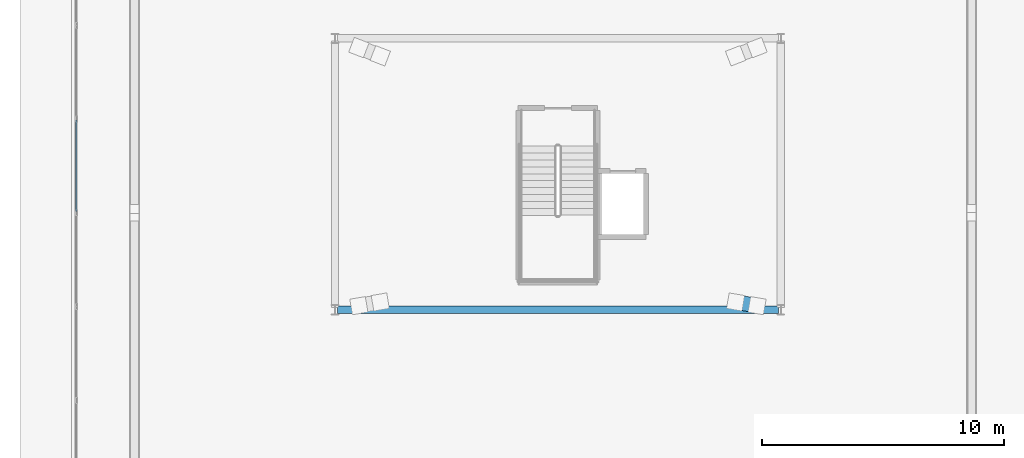
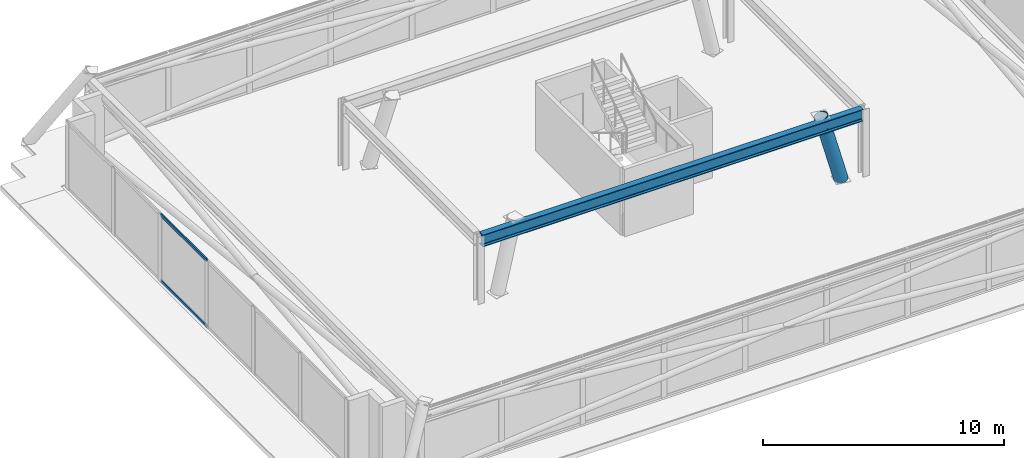
# One storey, part 8 of 22: 3 members, 1 beam, 1 element without a shape of its own.
"""IFC4 building model written with IfcOpenShell, lengths in metres."""

from ifc_helpers import new_model, si_unit, direction, frame, origin, origin_2d, place, context, subcontext, project, spatial, hollow_rectangle, hollow_circle, i_section, extrude, material, layer, layer_set, material_profile, profile_set, type_object, element, aggregate, save


model = new_model("IFC4")

# Units and contexts
model_context = context("Model", 3, precision=1e-05, world=origin(), true_north=direction((0.0, 1.0)))
body_context = subcontext(model_context, "Body", "Model", "MODEL_VIEW")
ifc_project = project(units=[si_unit("LENGTHUNIT", "METRE"), si_unit("AREAUNIT", "SQUARE_METRE"), si_unit("VOLUMEUNIT", "CUBIC_METRE"), si_unit("PLANEANGLEUNIT", "RADIAN"), si_unit("MASSUNIT", "GRAM", prefix="KILO")], contexts=[model_context])

# Site, building, storey
site_placement = place(None, origin())
site = spatial("IfcSite", under=ifc_project, at=site_placement, CompositionType="ELEMENT")
building_placement = place(site_placement, origin())
building = spatial("IfcBuilding", under=site, at=building_placement, Name="Qobustan Lattice House", CompositionType="ELEMENT")
storey_placement = place(building_placement, frame((0.0, 0.0, 274.0)))
storey = spatial("IfcBuildingStorey", under=building, at=storey_placement, Name="L77", CompositionType="ELEMENT", Elevation=274.0)

# Beam
ifc_material_1 = material(Name="Steel S355", Category="steel")
ifc_material_profile_1 = material_profile(ifc_material_1, i_section(OverallWidth=0.300048828125, OverallDepth=0.60009765625, WebThickness=0.015380859375, FlangeThickness=0.030029296875, FilletRadius=0.027099609375, at=origin_2d()), Name="HEB600")
ifc_profile_set_1 = profile_set([ifc_material_profile_1], Name="Steel S355")
beam_type = type_object("IfcBeamType", Name="BM-POD-HEB600", PredefinedType="USERDEFINED", material=ifc_profile_set_1)
beam_placement = place(storey_placement, frame((-9.10009765625, -5.60009765625, 3.10009765625), z_axis=(1.0, 0.0, 0.0), x_axis=(0.0, 1.0, 0.0)))
element("IfcBeam", 1, at=beam_placement, inside=storey, type_object=beam_type, Name="L77 crown support ring girder 1", ObjectType="GIRDER", PredefinedType="USERDEFINED", context=body_context, shape_type="SweptSolid", body=[
    extrude(i_section(OverallWidth=0.300048828125, OverallDepth=0.60009765625, WebThickness=0.015380859375, FlangeThickness=0.030029296875, FilletRadius=0.027099609375, at=origin_2d()), origin(), (0.0, 0.0, 1.0), 18.2001953125),
])

# Curtain wall, members
ifc_material_2 = material(Name="Anodised aluminium and low-E glazing", Category="aluminium")
ifc_layer = layer(ifc_material_2, 0.219970703125)
ifc_layer_set = layer_set([ifc_layer], Name="Anodised aluminium and low-E glazing")
curtain_wall_type = type_object("IfcCurtainWallType", Name="CW-CRN-01", PredefinedType="USERDEFINED", material=ifc_layer_set)
curtain_wall_placement = place(storey_placement, origin())
curtain_wall = element("IfcCurtainWall", 2, at=curtain_wall_placement, inside=storey, type_object=curtain_wall_type, Name="L77 glass-point crown faceted curtain wall 5", ObjectType="CURTAIN WALL", PredefinedType="USERDEFINED")
ifc_material_3 = material(Name="Anodised aluminium EN AW-6063 T6", Category="aluminium")
ifc_material_profile_2 = material_profile(ifc_material_3, hollow_rectangle(XDim=0.06494140625, YDim=0.159912109375, WallThickness=0.00390625, at=origin_2d()), Name="CWT-160x65")
ifc_profile_set_2 = profile_set([ifc_material_profile_2], Name="Anodised aluminium EN AW-6063 T6")
member_type_1 = type_object("IfcMemberType", Name="CWT-HOR-160", PredefinedType="USERDEFINED", material=ifc_profile_set_2)
member_1_placement = place(storey_placement, frame((-19.87353515625, -1.554931640625, 0.032470703125), z_axis=(0.0, 1.0, 0.0), x_axis=(-1.0, 0.0, 0.0)))
member_1 = element("IfcMember", 3, at=member_1_placement, type_object=member_type_1, Name="CW-CR transom 4.1", ObjectType="TRANSOM", PredefinedType="USERDEFINED", context=body_context, shape_type="SweptSolid", body=[
    extrude(hollow_rectangle(XDim=0.06494140625, YDim=0.159912109375, WallThickness=0.00390625, at=origin_2d()), origin(), (0.0, 0.0, 1.0), 3.777099609375),
])
member_2_placement = place(storey_placement, frame((-19.87353515625, -1.554931640625, 3.367431640625), z_axis=(0.0, 1.0, 0.0), x_axis=(-1.0, 0.0, 0.0)))
member_2 = element("IfcMember", 4, at=member_2_placement, type_object=member_type_1, Name="CW-CR transom 4.2", ObjectType="TRANSOM", PredefinedType="USERDEFINED", context=body_context, shape_type="SweptSolid", body=[
    extrude(hollow_rectangle(XDim=0.06494140625, YDim=0.159912109375, WallThickness=0.00390625, at=origin_2d()), origin(), (0.0, 0.0, 1.0), 3.777099609375),
])
aggregate(curtain_wall, [member_1, member_2])

# Member
ifc_material_4 = material(Name="Steel S355", Category="steel")
ifc_material_profile_3 = material_profile(ifc_material_4, hollow_circle(Radius=0.304931640625, WallThickness=0.02490234375, at=origin_2d()), Name="CHS610x25")
ifc_profile_set_3 = profile_set([ifc_material_profile_3], Name="Steel S355")
member_type_2 = type_object("IfcMemberType", Name="MEM-SPR-CHS610", PredefinedType="USERDEFINED", material=ifc_profile_set_3)
member_3_placement = place(storey_placement, frame((8.21484375, -5.43115234375, 0.0), z_axis=(-0.250766332953, 0.042986530074, 0.967092758989), x_axis=(-0.168956239166, -0.985623553517, 0.0)))
element("IfcMember", 5, at=member_3_placement, inside=storey, type_object=member_type_2, Name="L77 crown spire leg SL2", ObjectType="CROWN FRAME", PredefinedType="USERDEFINED", context=body_context, shape_type="SweptSolid", body=[
    extrude(hollow_circle(Radius=0.304931640625, WallThickness=0.02490234375, at=origin_2d()), origin(), (0.0, 0.0, 1.0), 3.515625),
])

save(model, "model.ifc")
